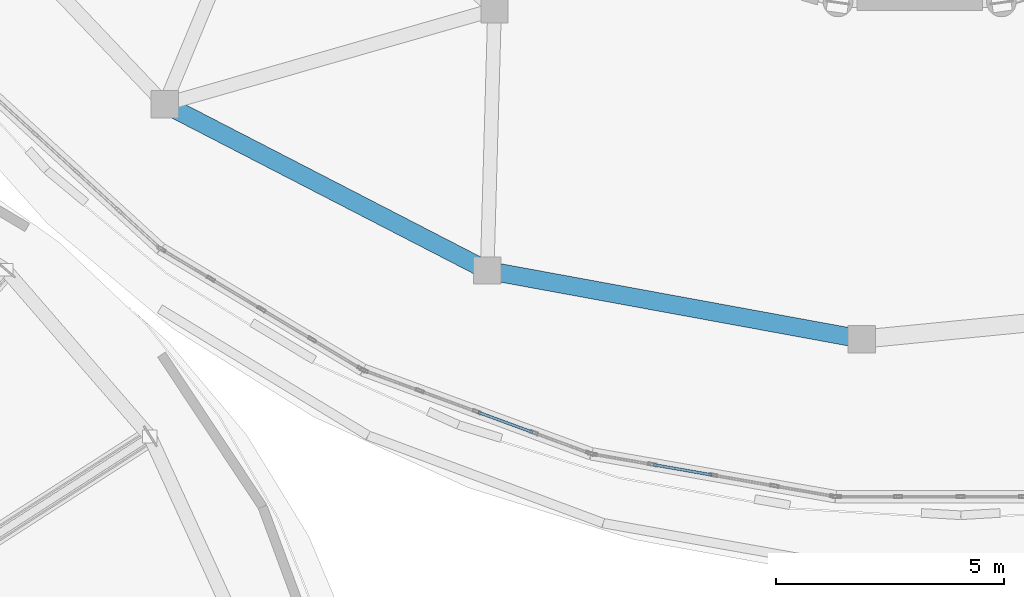
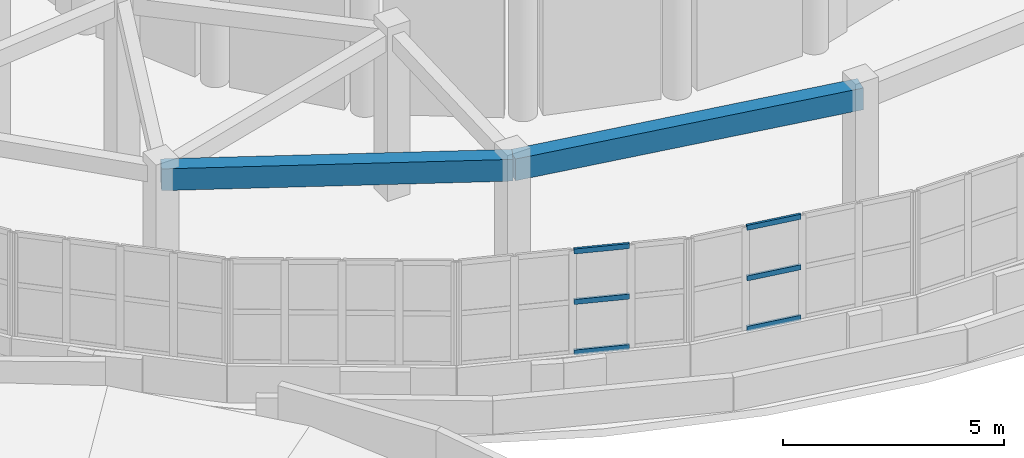
# One storey, part 12 of 69: 6 members, 2 beams, 2 elements without a shape of their own.
"""IFC4 building model written with IfcOpenShell, lengths in metres."""

from ifc_helpers import new_model, si_unit, direction, frame, origin, origin_2d, place, context, subcontext, project, spatial, rectangle, hollow_rectangle, extrude, material, layer, layer_set, material_profile, profile_set, type_object, element, aggregate, save


model = new_model("IFC4")

# Units and contexts
model_context = context("Model", 3, precision=1e-05, world=origin(), true_north=direction((0.0, 1.0)))
body_context = subcontext(model_context, "Body", "Model", "MODEL_VIEW")
ifc_project = project(units=[si_unit("LENGTHUNIT", "METRE"), si_unit("AREAUNIT", "SQUARE_METRE"), si_unit("VOLUMEUNIT", "CUBIC_METRE"), si_unit("PLANEANGLEUNIT", "RADIAN"), si_unit("MASSUNIT", "GRAM", prefix="KILO")], contexts=[model_context])

# Site, building, storey
site_placement = place(None, origin())
site = spatial("IfcSite", under=ifc_project, at=site_placement, CompositionType="ELEMENT")
building_placement = place(site_placement, origin())
building = spatial("IfcBuilding", under=site, at=building_placement, Name="Pelvatis Terrace Science Centre", CompositionType="ELEMENT")
storey_placement = place(building_placement, frame((0.0, 0.0, 15.0)))
storey = spatial("IfcBuildingStorey", under=building, at=storey_placement, Name="L03", CompositionType="ELEMENT", Elevation=15.0)

# Beams
ifc_material_1 = material(Name="Concrete C35/45", Category="concrete")
ifc_material_profile_1 = material_profile(ifc_material_1, rectangle(XDim=0.39990234375, YDim=0.60009765625, at=origin_2d()), Name="RC-BM 400x600")
ifc_profile_set_1 = profile_set([ifc_material_profile_1], Name="Concrete C35/45")
beam_type = type_object("IfcBeamType", Name="BM-RC-400x600", PredefinedType="BEAM", material=ifc_profile_set_1)
beam_1_placement = place(storey_placement, frame((92.62744140625, 71.0849609375, 4.25), z_axis=(0.888740331854, -0.458410975585, 0.0), x_axis=(0.458410975585, 0.888740331854, 0.0)))
element("IfcBeam", 1, at=beam_1_placement, inside=storey, type_object=beam_type, Name="Beam BM-L03-3026", PredefinedType="BEAM", context=body_context, shape_type="SweptSolid", body=[
    extrude(rectangle(XDim=0.39990234375, YDim=0.60009765625, at=origin_2d()), origin(), (0.0, 0.0, 1.0), 7.963623046875),
])
beam_2_placement = place(storey_placement, frame((99.705078125, 67.434326171875, 4.25), z_axis=(0.983601549943, -0.180355179991, 0.0), x_axis=(0.180355179991, 0.983601549943, 0.0)))
element("IfcBeam", 2, at=beam_2_placement, inside=storey, type_object=beam_type, Name="Beam BM-L03-3029", PredefinedType="BEAM", context=body_context, shape_type="SweptSolid", body=[
    extrude(rectangle(XDim=0.39990234375, YDim=0.60009765625, at=origin_2d()), origin(), (0.0, 0.0, 1.0), 8.3603515625),
])

# Curtain wall, members
ifc_material_2 = material(Name="Bronze-anodised aluminium and laminated glass", Category="aluminium")
ifc_layer = layer(ifc_material_2, 0.179931640625)
ifc_layer_set = layer_set([ifc_layer], Name="Bronze-anodised aluminium and laminated glass")
curtain_wall_type = type_object("IfcCurtainWallType", Name="CW-RIBBON-A", PredefinedType="NOTDEFINED", material=ifc_layer_set)
curtain_wall_1_placement = place(storey_placement, origin())
curtain_wall_1 = element("IfcCurtainWall", 3, at=curtain_wall_1_placement, inside=storey, type_object=curtain_wall_type, Name="Ribbon curtain wall CW-203 (L03)", PredefinedType="NOTDEFINED")
ifc_material_3 = material(Name="Bronze-anodised aluminium 6063-T6", Category="aluminium")
ifc_material_profile_2 = material_profile(ifc_material_3, hollow_rectangle(XDim=0.06005859375, YDim=0.139892578125, WallThickness=0.00390625, at=origin_2d()), Name="ALU-TRN 60x140")
ifc_profile_set_2 = profile_set([ifc_material_profile_2], Name="Bronze-anodised aluminium 6063-T6")
member_type = type_object("IfcMemberType", Name="CWT-60x140", PredefinedType="USERDEFINED", material=ifc_profile_set_2)
member_1_placement = place(storey_placement, frame((99.509765625, 64.31982421875, 1.050048828125), z_axis=(0.938676082456, -0.344800249746, 0.0), x_axis=(0.344800249746, 0.938676082456, 0.0)))
member_1 = element("IfcMember", 4, at=member_1_placement, type_object=member_type, Name="CW-203 transom 3.1", ObjectType="TRANSOM", PredefinedType="USERDEFINED", context=body_context, shape_type="SweptSolid", body=[
    extrude(hollow_rectangle(XDim=0.06005859375, YDim=0.139892578125, WallThickness=0.00390625, at=origin_2d()), origin(), (0.0, 0.0, 1.0), 1.275146484375),
])
member_2_placement = place(storey_placement, frame((99.509765625, 64.31982421875, 2.445068359375), z_axis=(0.938676082456, -0.344800249746, 0.0), x_axis=(0.344800249746, 0.938676082456, 0.0)))
member_2 = element("IfcMember", 5, at=member_2_placement, type_object=member_type, Name="CW-203 transom 3.2", ObjectType="TRANSOM", PredefinedType="USERDEFINED", context=body_context, shape_type="SweptSolid", body=[
    extrude(hollow_rectangle(XDim=0.06005859375, YDim=0.139892578125, WallThickness=0.00390625, at=origin_2d()), origin(), (0.0, 0.0, 1.0), 1.275146484375),
])
member_3_placement = place(storey_placement, frame((99.509765625, 64.31982421875, 3.840087890625), z_axis=(0.938676082456, -0.344800249746, 0.0), x_axis=(0.344800249746, 0.938676082456, 0.0)))
member_3 = element("IfcMember", 6, at=member_3_placement, type_object=member_type, Name="CW-203 transom 3.3", ObjectType="TRANSOM", PredefinedType="USERDEFINED", context=body_context, shape_type="SweptSolid", body=[
    extrude(hollow_rectangle(XDim=0.06005859375, YDim=0.139892578125, WallThickness=0.00390625, at=origin_2d()), origin(), (0.0, 0.0, 1.0), 1.275146484375),
])
aggregate(curtain_wall_1, [member_1, member_2, member_3])

curtain_wall_2_placement = place(storey_placement, origin())
curtain_wall_2 = element("IfcCurtainWall", 7, at=curtain_wall_2_placement, inside=storey, type_object=curtain_wall_type, Name="Ribbon curtain wall CW-204 (L03)", PredefinedType="NOTDEFINED")
member_4_placement = place(storey_placement, frame((103.35986328125, 63.169189453125, 1.050048828125), z_axis=(0.984981085924, -0.17266227258, 0.0), x_axis=(0.17266227258, 0.984981085924, 0.0)))
member_4 = element("IfcMember", 8, at=member_4_placement, type_object=member_type, Name="CW-204 transom 2.1", ObjectType="TRANSOM", PredefinedType="USERDEFINED", context=body_context, shape_type="SweptSolid", body=[
    extrude(hollow_rectangle(XDim=0.06005859375, YDim=0.139892578125, WallThickness=0.00390625, at=origin_2d()), origin(), (0.0, 0.0, 1.0), 1.30224609375),
])
member_5_placement = place(storey_placement, frame((103.35986328125, 63.169189453125, 2.445068359375), z_axis=(0.984981085924, -0.17266227258, 0.0), x_axis=(0.17266227258, 0.984981085924, 0.0)))
member_5 = element("IfcMember", 9, at=member_5_placement, type_object=member_type, Name="CW-204 transom 2.2", ObjectType="TRANSOM", PredefinedType="USERDEFINED", context=body_context, shape_type="SweptSolid", body=[
    extrude(hollow_rectangle(XDim=0.06005859375, YDim=0.139892578125, WallThickness=0.00390625, at=origin_2d()), origin(), (0.0, 0.0, 1.0), 1.30224609375),
])
member_6_placement = place(storey_placement, frame((103.35986328125, 63.169189453125, 3.840087890625), z_axis=(0.984981085924, -0.17266227258, 0.0), x_axis=(0.17266227258, 0.984981085924, 0.0)))
member_6 = element("IfcMember", 10, at=member_6_placement, type_object=member_type, Name="CW-204 transom 2.3", ObjectType="TRANSOM", PredefinedType="USERDEFINED", context=body_context, shape_type="SweptSolid", body=[
    extrude(hollow_rectangle(XDim=0.06005859375, YDim=0.139892578125, WallThickness=0.00390625, at=origin_2d()), origin(), (0.0, 0.0, 1.0), 1.30224609375),
])
aggregate(curtain_wall_2, [member_4, member_5, member_6])

save(model, "model.ifc")
